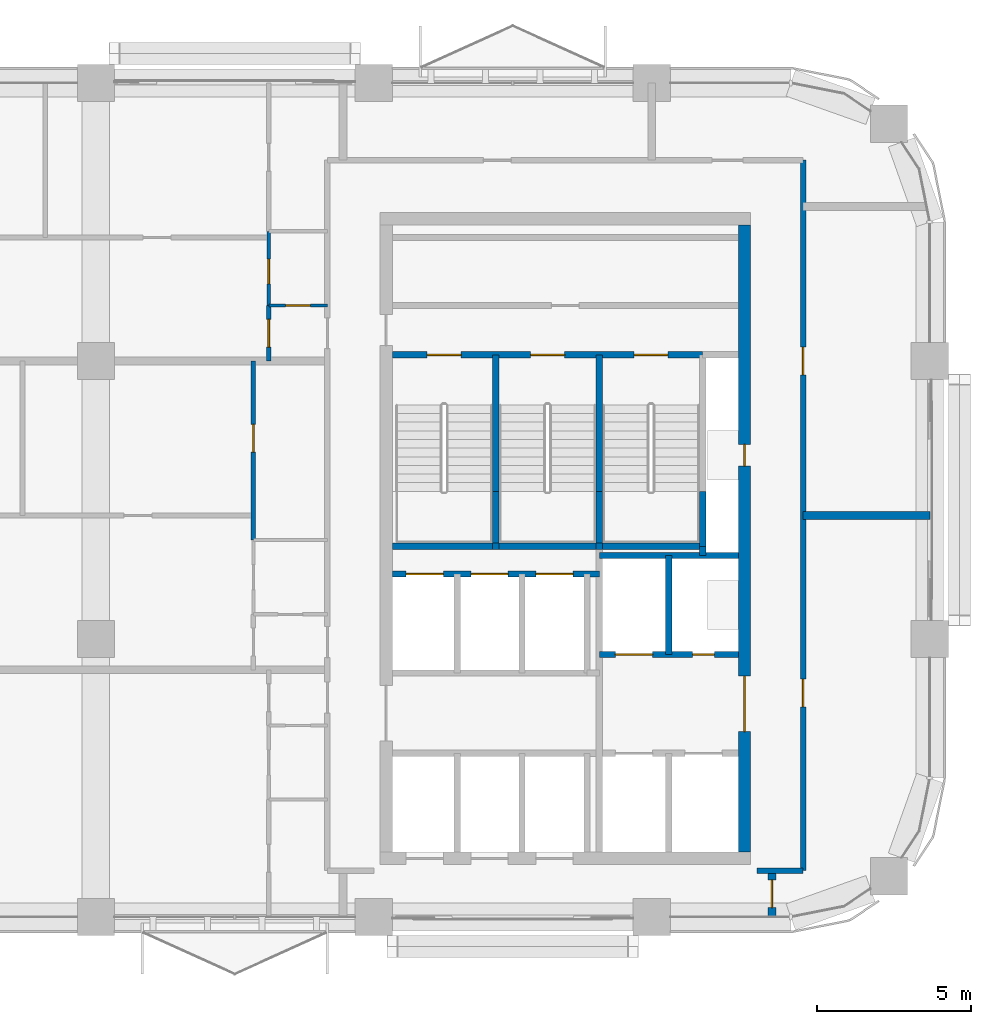
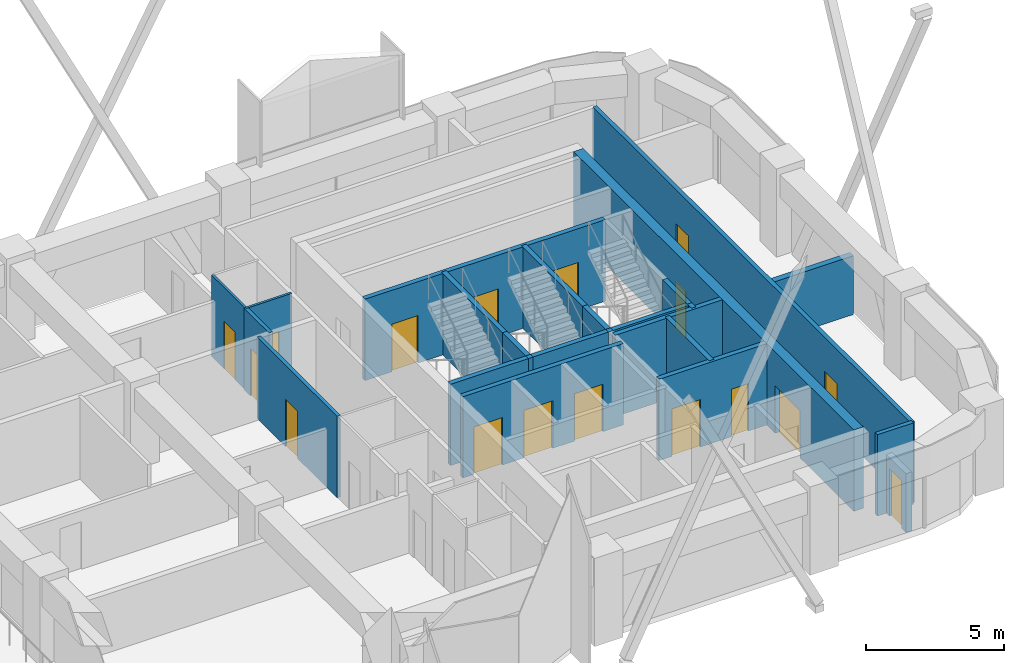
# One storey, part 10 of 13: 25 walls, 17 doors, 17 openings.
"""IFC4 building model written with IfcOpenShell, lengths in metres."""

from ifc_helpers import new_model, si_unit, direction, frame, frame_2d, origin, place, context, subcontext, project, spatial, rectangle, extrude, material, layer, layer_set, type_object, element, fill, save


model = new_model("IFC4")

# Units and contexts
model_context = context("Model", 3, precision=1e-05, world=origin(), true_north=direction((0.0, 1.0)))
body_context = subcontext(model_context, "Body", "Model", "MODEL_VIEW")
ifc_project = project(units=[si_unit("LENGTHUNIT", "METRE"), si_unit("AREAUNIT", "SQUARE_METRE"), si_unit("VOLUMEUNIT", "CUBIC_METRE"), si_unit("PLANEANGLEUNIT", "RADIAN"), si_unit("MASSUNIT", "GRAM", prefix="KILO")], contexts=[model_context])

# Site, building, storey
site_placement = place(None, origin())
site = spatial("IfcSite", under=ifc_project, at=site_placement, CompositionType="ELEMENT")
building_placement = place(site_placement, origin())
building = spatial("IfcBuilding", under=site, at=building_placement, Name="Tessera Arch", CompositionType="ELEMENT")
storey_placement = place(building_placement, frame((0.0, 0.0, 234.5)))
storey = spatial("IfcBuildingStorey", under=building, at=storey_placement, Name="L56", CompositionType="ELEMENT", Elevation=234.5)

# Wall, openings, doors
ifc_material_1 = material(Name="Concrete C50/60", Category="concrete")
ifc_layer_1 = layer(ifc_material_1, 0.39990234375)
ifc_layer_set_1 = layer_set([ifc_layer_1], Name="Core shell wall 400 C50-60")
wall_type_1 = type_object("IfcWallType", Name="Core shell wall 400 C50-60", PredefinedType="SHEAR", material=ifc_layer_set_1)
wall_1_placement = place(storey_placement, frame((48.0, 29.10009765625, 0.0), z_axis=(0.0, 0.0, 1.0), x_axis=(0.0, 1.0, 0.0)))
wall_1 = element("IfcWall", 1, at=wall_1_placement, inside=storey, type_object=wall_type_1, Name="L56 C1 core wall E", PredefinedType="SHEAR", context=body_context, shape_type="SweptSolid", body=[
    extrude(rectangle(XDim=20.2998046875, YDim=0.39990234375, at=frame_2d((10.14990234375, 0.0))), origin(), (0.0, 0.0, 1.0), 3.60009765625),
])
opening_1_placement = place(wall_1_placement, frame((12.5, 0.0, 0.0)))
opening_1 = element("IfcOpeningElement", 2, at=opening_1_placement, cuts=wall_1, Name="Opening L56-C14", PredefinedType="OPENING", context=body_context, shape_type="SweptSolid", body=[
    extrude(rectangle(XDim=0.699951171875, YDim=2.10009765625, at=frame_2d((0.35009765625, 1.050048828125))), frame((0.0, 0.2099609375, 0.0), z_axis=(0.0, -1.0, 0.0), x_axis=(1.0, 0.0, 0.0)), (0.0, 0.0, 1.0), 0.419921875),
])
opening_2_placement = place(wall_1_placement, frame((3.89990234375, 0.0, 0.0)))
opening_2 = element("IfcOpeningElement", 3, at=opening_2_placement, cuts=wall_1, Name="Opening L56-C15", PredefinedType="OPENING", context=body_context, shape_type="SweptSolid", body=[
    extrude(rectangle(XDim=1.800048828125, YDim=2.10009765625, at=frame_2d((0.89990234375, 1.050048828125))), frame((0.0, 0.2099609375, 0.0), z_axis=(0.0, -1.0, 0.0), x_axis=(1.0, 0.0, 0.0)), (0.0, 0.0, 1.0), 0.419921875),
])
ifc_material_2 = material(Name="Glazed steel door leaf", Category="steel")
door_type_1 = type_object("IfcDoorType", Name="Lobby double door FD60 1800 x 2100", OperationType="DOUBLE_DOOR_SINGLE_SWING", PredefinedType="DOOR", material=ifc_material_2)
door_1_placement = place(opening_2_placement, origin())
door_1 = element("IfcDoor", 4, at=door_1_placement, inside=storey, type_object=door_type_1, Name="L56 C1 door 15 C15 type D19", OperationType="DOUBLE_DOOR_SINGLE_SWING", OverallHeight=2.10009765625, OverallWidth=1.800048828125, PredefinedType="DOOR", context=body_context, shape_type="SweptSolid", body=[
    extrude(rectangle(XDim=1.800048828125, YDim=2.10009765625, at=frame_2d((0.89990234375, 1.050048828125))), frame((0.0, 0.02490234375, 0.0), z_axis=(0.0, -1.0, 0.0), x_axis=(1.0, 0.0, 0.0)), (0.0, 0.0, 1.0), 0.050048828125),
])
fill(opening_2, door_1)
ifc_material_3 = material(Name="Steel door leaf", Category="steel")
door_type_2 = type_object("IfcDoorType", Name="Service shaft door FD60 700 x 2100", OperationType="SINGLE_SWING_LEFT", PredefinedType="DOOR", material=ifc_material_3)
door_2_placement = place(opening_1_placement, origin())
door_2 = element("IfcDoor", 5, at=door_2_placement, inside=storey, type_object=door_type_2, Name="L56 C1 door 14 C14 type D07", OperationType="SINGLE_SWING_RIGHT", OverallHeight=2.10009765625, OverallWidth=0.699951171875, PredefinedType="DOOR", context=body_context, shape_type="SweptSolid", body=[
    extrude(rectangle(XDim=0.699951171875, YDim=2.10009765625, at=frame_2d((0.35009765625, 1.050048828125))), frame((0.0, 0.02490234375, 0.0), z_axis=(0.0, -1.0, 0.0), x_axis=(1.0, 0.0, 0.0)), (0.0, 0.0, 1.0), 0.050048828125),
])
fill(opening_1, door_2)

# Wall
ifc_material_4 = material(Name="Gypsum board on deep steel stud with mineral wool", Category="steel")
ifc_layer_2 = layer(ifc_material_4, 0.175048828125)
ifc_layer_set_2 = layer_set([ifc_layer_2], Name="Corridor wall 175 EI 60")
wall_type_2 = type_object("IfcWallType", Name="Corridor wall 175 EI 60", PredefinedType="PARTITIONING", material=ifc_layer_set_2)
wall_2_placement = place(storey_placement, frame((48.39990234375, 28.5, 0.0), z_axis=(0.0, 0.0, 1.0), x_axis=(1.0, 0.0, 0.0)))
element("IfcWall", 6, at=wall_2_placement, inside=storey, type_object=wall_type_2, Name="L56 partition 2", PredefinedType="PARTITIONING", context=body_context, shape_type="SweptSolid", body=[
    extrude(rectangle(XDim=1.5, YDim=0.175048828125, at=frame_2d((0.75, 0.0))), origin(), (0.0, 0.0, 1.0), 3.60009765625),
])

# Wall, openings, doors
wall_3_placement = place(storey_placement, frame((49.89990234375, 28.5, 0.0), z_axis=(0.0, 0.0, 1.0), x_axis=(0.0, 1.0, 0.0)))
wall_3 = element("IfcWall", 7, at=wall_3_placement, inside=storey, type_object=wall_type_2, Name="L56 partition 5", PredefinedType="PARTITIONING", context=body_context, shape_type="SweptSolid", body=[
    extrude(rectangle(XDim=23.0, YDim=0.175048828125, at=frame_2d((11.5, 0.0))), origin(), (0.0, 0.0, 1.0), 3.60009765625),
])
opening_3_placement = place(wall_3_placement, frame((5.300048828125, 0.0, 0.0)))
opening_3 = element("IfcOpeningElement", 8, at=opening_3_placement, cuts=wall_3, Name="Opening L56-D006", PredefinedType="OPENING", context=body_context, shape_type="SweptSolid", body=[
    extrude(rectangle(XDim=0.89990234375, YDim=2.10009765625, at=frame_2d((0.449951171875, 1.050048828125))), frame((0.0, 0.097412109375, 0.0), z_axis=(0.0, -1.0, 0.0), x_axis=(1.0, 0.0, 0.0)), (0.0, 0.0, 1.0), 0.195068359375),
])
opening_4_placement = place(wall_3_placement, frame((16.050048828125, 0.0, 0.0)))
opening_4 = element("IfcOpeningElement", 9, at=opening_4_placement, cuts=wall_3, Name="Opening L56-D014", PredefinedType="OPENING", context=body_context, shape_type="SweptSolid", body=[
    extrude(rectangle(XDim=0.89990234375, YDim=2.10009765625, at=frame_2d((0.449951171875, 1.050048828125))), frame((0.0, 0.097412109375, 0.0), z_axis=(0.0, -1.0, 0.0), x_axis=(1.0, 0.0, 0.0)), (0.0, 0.0, 1.0), 0.195068359375),
])
ifc_material_5 = material(Name="Timber door leaf", Category="wood")
door_type_3 = type_object("IfcDoorType", Name="Room door 900 x 2100", OperationType="SINGLE_SWING_LEFT", PredefinedType="DOOR", material=ifc_material_5)
door_3_placement = place(opening_3_placement, origin())
door_3 = element("IfcDoor", 10, at=door_3_placement, inside=storey, type_object=door_type_3, Name="L56 door D006 type D01", OperationType="SINGLE_SWING_RIGHT", OverallHeight=2.10009765625, OverallWidth=0.89990234375, PredefinedType="DOOR", context=body_context, shape_type="SweptSolid", body=[
    extrude(rectangle(XDim=0.89990234375, YDim=2.10009765625, at=frame_2d((0.449951171875, 1.050048828125))), frame((0.0, 0.02490234375, 0.0), z_axis=(0.0, -1.0, 0.0), x_axis=(1.0, 0.0, 0.0)), (0.0, 0.0, 1.0), 0.050048828125),
])
fill(opening_3, door_3)
door_4_placement = place(opening_4_placement, origin())
door_4 = element("IfcDoor", 11, at=door_4_placement, inside=storey, type_object=door_type_3, Name="L56 door D014 type D01", OperationType="SINGLE_SWING_RIGHT", OverallHeight=2.10009765625, OverallWidth=0.89990234375, PredefinedType="DOOR", context=body_context, shape_type="SweptSolid", body=[
    extrude(rectangle(XDim=0.89990234375, YDim=2.10009765625, at=frame_2d((0.449951171875, 1.050048828125))), frame((0.0, 0.02490234375, 0.0), z_axis=(0.0, -1.0, 0.0), x_axis=(1.0, 0.0, 0.0)), (0.0, 0.0, 1.0), 0.050048828125),
])
fill(opening_4, door_4)

# Wall, opening, door
ifc_material_6 = material(Name="Gypsum board on steel stud", Category="steel")
ifc_layer_3 = layer(ifc_material_6, 0.14990234375)
ifc_layer_set_3 = layer_set([ifc_layer_3], Name="Partition 150")
wall_type_3 = type_object("IfcWallType", Name="Partition 150", PredefinedType="PARTITIONING", material=ifc_layer_set_3)
wall_4_placement = place(storey_placement, frame((32.10009765625, 39.199951171875, 0.0), z_axis=(0.0, 0.0, 1.0), x_axis=(0.0, 1.0, 0.0)))
wall_4 = element("IfcWall", 12, at=wall_4_placement, inside=storey, type_object=wall_type_3, Name="L56 partition 11", PredefinedType="PARTITIONING", context=body_context, shape_type="SweptSolid", body=[
    extrude(rectangle(XDim=5.800048828125, YDim=0.14990234375, at=frame_2d((2.89990234375, 0.0))), origin(), (0.0, 0.0, 1.0), 3.60009765625),
])
opening_5_placement = place(wall_4_placement, frame((2.85009765625, 0.0, 0.0)))
opening_5 = element("IfcOpeningElement", 13, at=opening_5_placement, cuts=wall_4, Name="Opening L56-D011", PredefinedType="OPENING", context=body_context, shape_type="SweptSolid", body=[
    extrude(rectangle(XDim=0.89990234375, YDim=2.10009765625, at=frame_2d((0.449951171875, 1.050048828125))), frame((0.0, 0.0849609375, 0.0), z_axis=(0.0, -1.0, 0.0), x_axis=(1.0, 0.0, 0.0)), (0.0, 0.0, 1.0), 0.169921875),
])
door_5_placement = place(opening_5_placement, origin())
door_5 = element("IfcDoor", 14, at=door_5_placement, inside=storey, type_object=door_type_3, Name="L56 door D011 type D01", OperationType="SINGLE_SWING_LEFT", OverallHeight=2.10009765625, OverallWidth=0.89990234375, PredefinedType="DOOR", context=body_context, shape_type="SweptSolid", body=[
    extrude(rectangle(XDim=0.89990234375, YDim=2.10009765625, at=frame_2d((0.449951171875, 1.050048828125))), frame((0.0, 0.02490234375, 0.0), z_axis=(0.0, -1.0, 0.0), x_axis=(1.0, 0.0, 0.0)), (0.0, 0.0, 1.0), 0.050048828125),
])
fill(opening_5, door_5)

wall_5_placement = place(storey_placement, frame((32.60009765625, 45.0, 0.0), z_axis=(0.0, 0.0, 1.0), x_axis=(0.0, 1.0, 0.0)))
wall_5 = element("IfcWall", 15, at=wall_5_placement, inside=storey, type_object=wall_type_3, Name="L56 partition 14", PredefinedType="PARTITIONING", context=body_context, shape_type="SweptSolid", body=[
    extrude(rectangle(XDim=1.800048828125, YDim=0.14990234375, at=frame_2d((0.89990234375, 0.0))), origin(), (0.0, 0.0, 1.0), 3.60009765625),
])
opening_6_placement = place(wall_5_placement, frame((0.449951171875, 0.0, 0.0)))
opening_6 = element("IfcOpeningElement", 16, at=opening_6_placement, cuts=wall_5, Name="Opening L56-D016", PredefinedType="OPENING", context=body_context, shape_type="SweptSolid", body=[
    extrude(rectangle(XDim=0.89990234375, YDim=2.10009765625, at=frame_2d((0.449951171875, 1.050048828125))), frame((0.0, 0.0849609375, 0.0), z_axis=(0.0, -1.0, 0.0), x_axis=(1.0, 0.0, 0.0)), (0.0, 0.0, 1.0), 0.169921875),
])
door_6_placement = place(opening_6_placement, origin())
door_6 = element("IfcDoor", 17, at=door_6_placement, inside=storey, type_object=door_type_3, Name="L56 door D016 type D01", OperationType="SINGLE_SWING_LEFT", OverallHeight=2.10009765625, OverallWidth=0.89990234375, PredefinedType="DOOR", context=body_context, shape_type="SweptSolid", body=[
    extrude(rectangle(XDim=0.89990234375, YDim=2.10009765625, at=frame_2d((0.449951171875, 1.050048828125))), frame((0.0, 0.02490234375, 0.0), z_axis=(0.0, -1.0, 0.0), x_axis=(1.0, 0.0, 0.0)), (0.0, 0.0, 1.0), 0.050048828125),
])
fill(opening_6, door_6)

# Wall
ifc_material_7 = material(Name="Double gypsum board on twin steel stud with acoustic mineral wool", Category="steel")
ifc_layer_4 = layer(ifc_material_7, 0.25)
ifc_layer_set_4 = layer_set([ifc_layer_4], Name="Party wall 250 EI 60")
wall_type_4 = type_object("IfcWallType", Name="Party wall 250 EI 60", PredefinedType="PARTITIONING", material=ifc_layer_set_4)
wall_6_placement = place(storey_placement, frame((49.89990234375, 40.0, 0.0), z_axis=(0.0, 0.0, 1.0), x_axis=(1.0, 0.0, 0.0)))
element("IfcWall", 18, at=wall_6_placement, inside=storey, type_object=wall_type_4, Name="L56 partition 17", PredefinedType="PARTITIONING", context=body_context, shape_type="SweptSolid", body=[
    extrude(rectangle(XDim=4.10009765625, YDim=0.25, at=frame_2d((2.050048828125, 0.0))), origin(), (0.0, 0.0, 1.0), 2.60009765625),
])

# Wall, opening, door
wall_7_placement = place(storey_placement, frame((48.888916015625, 27.0, 0.0), z_axis=(0.0, 0.0, 1.0), x_axis=(0.0, 1.0, 0.0)))
wall_7 = element("IfcWall", 19, at=wall_7_placement, inside=storey, type_object=wall_type_4, Name="L56 partition 23", PredefinedType="PARTITIONING", context=body_context, shape_type="SweptSolid", body=[
    extrude(rectangle(XDim=1.5, YDim=0.25, at=frame_2d((0.75, 0.0))), origin(), (0.0, 0.0, 1.0), 2.60009765625),
])
opening_7_placement = place(wall_7_placement, frame((0.300048828125, 0.0, 0.0)))
opening_7 = element("IfcOpeningElement", 20, at=opening_7_placement, cuts=wall_7, Name="Opening L56-D024", PredefinedType="OPENING", context=body_context, shape_type="SweptSolid", body=[
    extrude(rectangle(XDim=0.89990234375, YDim=2.10009765625, at=frame_2d((0.449951171875, 1.050048828125))), frame((0.0, 0.135009765625, 0.0), z_axis=(0.0, -1.0, 0.0), x_axis=(1.0, 0.0, 0.0)), (0.0, 0.0, 1.0), 0.27001953125),
])
door_7_placement = place(opening_7_placement, origin())
door_7 = element("IfcDoor", 21, at=door_7_placement, inside=storey, type_object=door_type_3, Name="L56 door D024 type D01", OperationType="SINGLE_SWING_RIGHT", OverallHeight=2.10009765625, OverallWidth=0.89990234375, PredefinedType="DOOR", context=body_context, shape_type="SweptSolid", body=[
    extrude(rectangle(XDim=0.89990234375, YDim=2.10009765625, at=frame_2d((0.449951171875, 1.050048828125))), frame((0.0, 0.02490234375, 0.0), z_axis=(0.0, -1.0, 0.0), x_axis=(1.0, 0.0, 0.0)), (0.0, 0.0, 1.0), 0.050048828125),
])
fill(opening_7, door_7)

# Walls
ifc_material_8 = material(Name="Concrete C40/50", Category="concrete")
ifc_layer_5 = layer(ifc_material_8, 0.199951171875)
ifc_layer_set_5 = layer_set([ifc_layer_5], Name="Shaft wall 200 EI 120")
wall_type_5 = type_object("IfcWallType", Name="Shaft wall 200 EI 120", PredefinedType="SOLIDWALL", material=ifc_layer_set_5)
wall_8_placement = place(storey_placement, frame((45.550048828125, 35.5, 0.0), z_axis=(0.0, 0.0, 1.0), x_axis=(0.0, 1.0, 0.0)))
element("IfcWall", 22, at=wall_8_placement, inside=storey, type_object=wall_type_5, Name="L56 C1 shaft wall 13", PredefinedType="SOLIDWALL", context=body_context, shape_type="SweptSolid", body=[
    extrude(rectangle(XDim=3.199951171875, YDim=0.199951171875, at=frame_2d((1.60009765625, 0.0))), origin(), (0.0, 0.0, 1.0), 3.60009765625),
])
wall_9_placement = place(storey_placement, frame((46.64990234375, 38.699951171875, 0.0), z_axis=(0.0, 0.0, 1.0), x_axis=(0.0, 1.0, 0.0)))
element("IfcWall", 23, at=wall_9_placement, inside=storey, type_object=wall_type_5, Name="L56 C1 shaft wall 14", PredefinedType="SOLIDWALL", context=body_context, shape_type="SweptSolid", body=[
    extrude(rectangle(XDim=0.300048828125, YDim=0.199951171875, at=frame_2d((0.14990234375, 0.0))), origin(), (0.0, 0.0, 1.0), 3.60009765625),
])

# Wall, openings, doors
wall_10_placement = place(storey_placement, frame((43.300048828125, 35.5, 0.0), z_axis=(0.0, 0.0, 1.0), x_axis=(1.0, 0.0, 0.0)))
wall_10 = element("IfcWall", 24, at=wall_10_placement, inside=storey, type_object=wall_type_5, Name="L56 C1 shaft wall 20", PredefinedType="SOLIDWALL", context=body_context, shape_type="SweptSolid", body=[
    extrude(rectangle(XDim=4.5, YDim=0.199951171875, at=frame_2d((2.25, 0.0))), origin(), (0.0, 0.0, 1.0), 3.60009765625),
])
opening_8_placement = place(wall_10_placement, frame((0.52490234375, 0.0, 0.0)))
opening_8 = element("IfcOpeningElement", 25, at=opening_8_placement, cuts=wall_10, Name="Opening L56-C09", PredefinedType="OPENING", context=body_context, shape_type="SweptSolid", body=[
    extrude(rectangle(XDim=1.199951171875, YDim=2.10009765625, at=frame_2d((0.60009765625, 1.050048828125))), frame((0.0, 0.10986328125, 0.0), z_axis=(0.0, -1.0, 0.0), x_axis=(1.0, 0.0, 0.0)), (0.0, 0.0, 1.0), 0.219970703125),
])
opening_9_placement = place(wall_10_placement, frame((3.02490234375, 0.0, 0.0)))
opening_9 = element("IfcOpeningElement", 26, at=opening_9_placement, cuts=wall_10, Name="Opening L56-C16", PredefinedType="OPENING", context=body_context, shape_type="SweptSolid", body=[
    extrude(rectangle(XDim=0.699951171875, YDim=2.10009765625, at=frame_2d((0.35009765625, 1.050048828125))), frame((0.0, 0.10986328125, 0.0), z_axis=(0.0, -1.0, 0.0), x_axis=(1.0, 0.0, 0.0)), (0.0, 0.0, 1.0), 0.219970703125),
])
door_8_placement = place(opening_9_placement, origin())
door_8 = element("IfcDoor", 27, at=door_8_placement, inside=storey, type_object=door_type_2, Name="L56 C1 door 16 C16 type D07", OperationType="SINGLE_SWING_RIGHT", OverallHeight=2.10009765625, OverallWidth=0.699951171875, PredefinedType="DOOR", context=body_context, shape_type="SweptSolid", body=[
    extrude(rectangle(XDim=0.699951171875, YDim=2.10009765625, at=frame_2d((0.35009765625, 1.050048828125))), frame((0.0, 0.02490234375, 0.0), z_axis=(0.0, -1.0, 0.0), x_axis=(1.0, 0.0, 0.0)), (0.0, 0.0, 1.0), 0.050048828125),
])
fill(opening_9, door_8)
ifc_material_9 = material(Name="Stainless steel AISI 304", Category="steel")
door_type_4 = type_object("IfcDoorType", Name="Sliding landing door 1200 x 2100", OperationType="SLIDING_TO_LEFT", PredefinedType="DOOR", material=ifc_material_9)
door_9_placement = place(opening_8_placement, origin())
door_9 = element("IfcDoor", 28, at=door_9_placement, inside=storey, type_object=door_type_4, Name="L56 SV2 lift landing door C09 type LD", OperationType="SLIDING_TO_LEFT", OverallHeight=2.10009765625, OverallWidth=1.199951171875, PredefinedType="DOOR", context=body_context, shape_type="SweptSolid", body=[
    extrude(rectangle(XDim=1.199951171875, YDim=2.10009765625, at=frame_2d((0.60009765625, 1.050048828125))), frame((0.0, 0.02490234375, 0.0), z_axis=(0.0, -1.0, 0.0), x_axis=(1.0, 0.0, 0.0)), (0.0, 0.0, 1.0), 0.050048828125),
])
fill(opening_8, door_9)

wall_11_placement = place(storey_placement, frame((36.60009765625, 38.10009765625, 0.0), z_axis=(0.0, 0.0, 1.0), x_axis=(1.0, 0.0, 0.0)))
wall_11 = element("IfcWall", 29, at=wall_11_placement, inside=storey, type_object=wall_type_5, Name="L56 C1 shaft wall 21", PredefinedType="SOLIDWALL", context=body_context, shape_type="SweptSolid", body=[
    extrude(rectangle(XDim=6.699951171875, YDim=0.199951171875, at=frame_2d((3.35009765625, 0.0))), origin(), (0.0, 0.0, 1.0), 3.60009765625),
])
opening_10_placement = place(wall_11_placement, frame((0.449951171875, 0.0, 0.0)))
opening_10 = element("IfcOpeningElement", 30, at=opening_10_placement, cuts=wall_11, Name="Opening L56-C02", PredefinedType="OPENING", context=body_context, shape_type="SweptSolid", body=[
    extrude(rectangle(XDim=1.199951171875, YDim=2.10009765625, at=frame_2d((0.60009765625, 1.050048828125))), frame((0.0, 0.10986328125, 0.0), z_axis=(0.0, -1.0, 0.0), x_axis=(1.0, 0.0, 0.0)), (0.0, 0.0, 1.0), 0.219970703125),
])
opening_11_placement = place(wall_11_placement, frame((2.550048828125, 0.0, 0.0)))
opening_11 = element("IfcOpeningElement", 31, at=opening_11_placement, cuts=wall_11, Name="Opening L56-C04", PredefinedType="OPENING", context=body_context, shape_type="SweptSolid", body=[
    extrude(rectangle(XDim=1.199951171875, YDim=2.10009765625, at=frame_2d((0.60009765625, 1.050048828125))), frame((0.0, 0.10986328125, 0.0), z_axis=(0.0, -1.0, 0.0), x_axis=(1.0, 0.0, 0.0)), (0.0, 0.0, 1.0), 0.219970703125),
])
opening_12_placement = place(wall_11_placement, frame((4.64990234375, 0.0, 0.0)))
opening_12 = element("IfcOpeningElement", 32, at=opening_12_placement, cuts=wall_11, Name="Opening L56-C06", PredefinedType="OPENING", context=body_context, shape_type="SweptSolid", body=[
    extrude(rectangle(XDim=1.199951171875, YDim=2.10009765625, at=frame_2d((0.60009765625, 1.050048828125))), frame((0.0, 0.10986328125, 0.0), z_axis=(0.0, -1.0, 0.0), x_axis=(1.0, 0.0, 0.0)), (0.0, 0.0, 1.0), 0.219970703125),
])
door_10_placement = place(opening_10_placement, origin())
door_10 = element("IfcDoor", 33, at=door_10_placement, inside=storey, type_object=door_type_4, Name="L56 HR4 lift landing door C02 type LD", OperationType="SLIDING_TO_LEFT", OverallHeight=2.10009765625, OverallWidth=1.199951171875, PredefinedType="DOOR", context=body_context, shape_type="SweptSolid", body=[
    extrude(rectangle(XDim=1.199951171875, YDim=2.10009765625, at=frame_2d((0.60009765625, 1.050048828125))), frame((0.0, 0.02490234375, 0.0), z_axis=(0.0, -1.0, 0.0), x_axis=(1.0, 0.0, 0.0)), (0.0, 0.0, 1.0), 0.050048828125),
])
fill(opening_10, door_10)
door_11_placement = place(opening_11_placement, origin())
door_11 = element("IfcDoor", 34, at=door_11_placement, inside=storey, type_object=door_type_4, Name="L56 HR5 lift landing door C04 type LD", OperationType="SLIDING_TO_LEFT", OverallHeight=2.10009765625, OverallWidth=1.199951171875, PredefinedType="DOOR", context=body_context, shape_type="SweptSolid", body=[
    extrude(rectangle(XDim=1.199951171875, YDim=2.10009765625, at=frame_2d((0.60009765625, 1.050048828125))), frame((0.0, 0.02490234375, 0.0), z_axis=(0.0, -1.0, 0.0), x_axis=(1.0, 0.0, 0.0)), (0.0, 0.0, 1.0), 0.050048828125),
])
fill(opening_11, door_11)
door_12_placement = place(opening_12_placement, origin())
door_12 = element("IfcDoor", 35, at=door_12_placement, inside=storey, type_object=door_type_4, Name="L56 HR6 lift landing door C06 type LD", OperationType="SLIDING_TO_LEFT", OverallHeight=2.10009765625, OverallWidth=1.199951171875, PredefinedType="DOOR", context=body_context, shape_type="SweptSolid", body=[
    extrude(rectangle(XDim=1.199951171875, YDim=2.10009765625, at=frame_2d((0.60009765625, 1.050048828125))), frame((0.0, 0.02490234375, 0.0), z_axis=(0.0, -1.0, 0.0), x_axis=(1.0, 0.0, 0.0)), (0.0, 0.0, 1.0), 0.050048828125),
])
fill(opening_12, door_12)

# Walls
wall_12_placement = place(storey_placement, frame((43.300048828125, 38.699951171875, 0.0), z_axis=(0.0, 0.0, 1.0), x_axis=(1.0, 0.0, 0.0)))
element("IfcWall", 36, at=wall_12_placement, inside=storey, type_object=wall_type_5, Name="L56 C1 shaft wall 22", PredefinedType="SOLIDWALL", context=body_context, shape_type="SweptSolid", body=[
    extrude(rectangle(XDim=4.5, YDim=0.199951171875, at=frame_2d((2.25, 0.0))), origin(), (0.0, 0.0, 1.0), 3.60009765625),
])
ifc_material_10 = material(Name="Concrete C40/50", Category="concrete")
ifc_layer_6 = layer(ifc_material_10, 0.199951171875)
ifc_layer_set_6 = layer_set([ifc_layer_6], Name="Stair well wall 200 REI 180")
wall_type_6 = type_object("IfcWallType", Name="Stair well wall 200 REI 180", PredefinedType="SOLIDWALL", material=ifc_layer_set_6)
wall_13_placement = place(storey_placement, frame((39.949951171875, 39.0, 0.0), z_axis=(0.0, 0.0, 1.0), x_axis=(0.0, 1.0, 0.0)))
element("IfcWall", 37, at=wall_13_placement, inside=storey, type_object=wall_type_6, Name="L56 C1 shaft wall 3", PredefinedType="SOLIDWALL", context=body_context, shape_type="SweptSolid", body=[
    extrude(rectangle(XDim=1.780029296875, YDim=0.199951171875, at=frame_2d((0.89013671875, 0.0))), origin(), (0.0, 0.0, 1.0), 3.60009765625),
])
wall_14_placement = place(storey_placement, frame((39.949951171875, 40.780029296875, 0.0), z_axis=(0.0, 0.0, 1.0), x_axis=(0.0, 1.0, 0.0)))
element("IfcWall", 38, at=wall_14_placement, inside=storey, type_object=wall_type_6, Name="L56 C1 shaft wall 4", PredefinedType="SOLIDWALL", context=body_context, shape_type="SweptSolid", body=[
    extrude(rectangle(XDim=4.419921875, YDim=0.199951171875, at=frame_2d((2.2099609375, 0.0))), origin(), (0.0, 0.0, 1.0), 3.60009765625),
])
wall_15_placement = place(storey_placement, frame((43.300048828125, 39.0, 0.0), z_axis=(0.0, 0.0, 1.0), x_axis=(0.0, 1.0, 0.0)))
element("IfcWall", 39, at=wall_15_placement, inside=storey, type_object=wall_type_6, Name="L56 C1 shaft wall 10", PredefinedType="SOLIDWALL", context=body_context, shape_type="SweptSolid", body=[
    extrude(rectangle(XDim=1.780029296875, YDim=0.199951171875, at=frame_2d((0.89013671875, 0.0))), origin(), (0.0, 0.0, 1.0), 3.60009765625),
])
wall_16_placement = place(storey_placement, frame((43.300048828125, 40.780029296875, 0.0), z_axis=(0.0, 0.0, 1.0), x_axis=(0.0, 1.0, 0.0)))
element("IfcWall", 40, at=wall_16_placement, inside=storey, type_object=wall_type_6, Name="L56 C1 shaft wall 11", PredefinedType="SOLIDWALL", context=body_context, shape_type="SweptSolid", body=[
    extrude(rectangle(XDim=4.419921875, YDim=0.199951171875, at=frame_2d((2.2099609375, 0.0))), origin(), (0.0, 0.0, 1.0), 3.60009765625),
])
wall_17_placement = place(storey_placement, frame((46.64990234375, 39.0, 0.0), z_axis=(0.0, 0.0, 1.0), x_axis=(0.0, 1.0, 0.0)))
element("IfcWall", 41, at=wall_17_placement, inside=storey, type_object=wall_type_6, Name="L56 C1 shaft wall 15", PredefinedType="SOLIDWALL", context=body_context, shape_type="SweptSolid", body=[
    extrude(rectangle(XDim=1.780029296875, YDim=0.199951171875, at=frame_2d((0.89013671875, 0.0))), origin(), (0.0, 0.0, 1.0), 3.60009765625),
])
wall_18_placement = place(storey_placement, frame((36.60009765625, 39.0, 0.0), z_axis=(0.0, 0.0, 1.0), x_axis=(1.0, 0.0, 0.0)))
element("IfcWall", 42, at=wall_18_placement, inside=storey, type_object=wall_type_6, Name="L56 C1 shaft wall 23", PredefinedType="SOLIDWALL", context=body_context, shape_type="SweptSolid", body=[
    extrude(rectangle(XDim=3.25, YDim=0.199951171875, at=frame_2d((1.625, 0.0))), origin(), (0.0, 0.0, 1.0), 3.60009765625),
])
wall_19_placement = place(storey_placement, frame((39.85009765625, 39.0, 0.0), z_axis=(0.0, 0.0, 1.0), x_axis=(1.0, 0.0, 0.0)))
element("IfcWall", 43, at=wall_19_placement, inside=storey, type_object=wall_type_6, Name="L56 C1 shaft wall 24", PredefinedType="SOLIDWALL", context=body_context, shape_type="SweptSolid", body=[
    extrude(rectangle(XDim=0.199951171875, YDim=0.199951171875, at=frame_2d((0.10009765625, 0.0))), origin(), (0.0, 0.0, 1.0), 3.60009765625),
])
wall_20_placement = place(storey_placement, frame((40.050048828125, 39.0, 0.0), z_axis=(0.0, 0.0, 1.0), x_axis=(1.0, 0.0, 0.0)))
element("IfcWall", 44, at=wall_20_placement, inside=storey, type_object=wall_type_6, Name="L56 C1 shaft wall 25", PredefinedType="SOLIDWALL", context=body_context, shape_type="SweptSolid", body=[
    extrude(rectangle(XDim=3.14990234375, YDim=0.199951171875, at=frame_2d((1.574951171875, 0.0))), origin(), (0.0, 0.0, 1.0), 3.60009765625),
])
wall_21_placement = place(storey_placement, frame((43.199951171875, 39.0, 0.0), z_axis=(0.0, 0.0, 1.0), x_axis=(1.0, 0.0, 0.0)))
element("IfcWall", 45, at=wall_21_placement, inside=storey, type_object=wall_type_6, Name="L56 C1 shaft wall 26", PredefinedType="SOLIDWALL", context=body_context, shape_type="SweptSolid", body=[
    extrude(rectangle(XDim=0.199951171875, YDim=0.199951171875, at=frame_2d((0.10009765625, 0.0))), origin(), (0.0, 0.0, 1.0), 3.60009765625),
])
wall_22_placement = place(storey_placement, frame((43.39990234375, 39.0, 0.0), z_axis=(0.0, 0.0, 1.0), x_axis=(1.0, 0.0, 0.0)))
element("IfcWall", 46, at=wall_22_placement, inside=storey, type_object=wall_type_6, Name="L56 C1 shaft wall 27", PredefinedType="SOLIDWALL", context=body_context, shape_type="SweptSolid", body=[
    extrude(rectangle(XDim=3.25, YDim=0.199951171875, at=frame_2d((1.625, 0.0))), origin(), (0.0, 0.0, 1.0), 3.60009765625),
])

# Wall, openings, doors
wall_23_placement = place(storey_placement, frame((36.60009765625, 45.199951171875, 0.0), z_axis=(0.0, 0.0, 1.0), x_axis=(1.0, 0.0, 0.0)))
wall_23 = element("IfcWall", 47, at=wall_23_placement, inside=storey, type_object=wall_type_6, Name="L56 C1 shaft wall 29", PredefinedType="SOLIDWALL", context=body_context, shape_type="SweptSolid", body=[
    extrude(rectangle(XDim=10.0498046875, YDim=0.199951171875, at=frame_2d((5.02490234375, 0.0))), origin(), (0.0, 0.0, 1.0), 3.60009765625),
])
opening_13_placement = place(wall_23_placement, frame((1.125, 0.0, 0.0)))
opening_13 = element("IfcOpeningElement", 48, at=opening_13_placement, cuts=wall_23, Name="Opening L56-C11", PredefinedType="OPENING", context=body_context, shape_type="SweptSolid", body=[
    extrude(rectangle(XDim=1.10009765625, YDim=2.10009765625, at=frame_2d((0.550048828125, 1.050048828125))), frame((0.0, 0.10986328125, 0.0), z_axis=(0.0, -1.0, 0.0), x_axis=(1.0, 0.0, 0.0)), (0.0, 0.0, 1.0), 0.219970703125),
])
opening_14_placement = place(wall_23_placement, frame((4.47509765625, 0.0, 0.0)))
opening_14 = element("IfcOpeningElement", 49, at=opening_14_placement, cuts=wall_23, Name="Opening L56-C12", PredefinedType="OPENING", context=body_context, shape_type="SweptSolid", body=[
    extrude(rectangle(XDim=1.10009765625, YDim=2.10009765625, at=frame_2d((0.550048828125, 1.050048828125))), frame((0.0, 0.10986328125, 0.0), z_axis=(0.0, -1.0, 0.0), x_axis=(1.0, 0.0, 0.0)), (0.0, 0.0, 1.0), 0.219970703125),
])
opening_15_placement = place(wall_23_placement, frame((7.824951171875, 0.0, 0.0)))
opening_15 = element("IfcOpeningElement", 50, at=opening_15_placement, cuts=wall_23, Name="Opening L56-C13", PredefinedType="OPENING", context=body_context, shape_type="SweptSolid", body=[
    extrude(rectangle(XDim=1.10009765625, YDim=2.10009765625, at=frame_2d((0.550048828125, 1.050048828125))), frame((0.0, 0.10986328125, 0.0), z_axis=(0.0, -1.0, 0.0), x_axis=(1.0, 0.0, 0.0)), (0.0, 0.0, 1.0), 0.219970703125),
])
ifc_material_11 = material(Name="Steel door leaf", Category="steel")
door_type_5 = type_object("IfcDoorType", Name="Stair door FD60 1100 x 2100", OperationType="SINGLE_SWING_LEFT", PredefinedType="DOOR", material=ifc_material_11)
door_13_placement = place(opening_13_placement, origin())
door_13 = element("IfcDoor", 51, at=door_13_placement, inside=storey, type_object=door_type_5, Name="L56 C1 door 11 C11 type D05", OperationType="SINGLE_SWING_LEFT", OverallHeight=2.10009765625, OverallWidth=1.10009765625, PredefinedType="DOOR", context=body_context, shape_type="SweptSolid", body=[
    extrude(rectangle(XDim=1.10009765625, YDim=2.10009765625, at=frame_2d((0.550048828125, 1.050048828125))), frame((0.0, 0.02490234375, 0.0), z_axis=(0.0, -1.0, 0.0), x_axis=(1.0, 0.0, 0.0)), (0.0, 0.0, 1.0), 0.050048828125),
])
fill(opening_13, door_13)
door_14_placement = place(opening_14_placement, origin())
door_14 = element("IfcDoor", 52, at=door_14_placement, inside=storey, type_object=door_type_5, Name="L56 C1 door 12 C12 type D05", OperationType="SINGLE_SWING_RIGHT", OverallHeight=2.10009765625, OverallWidth=1.10009765625, PredefinedType="DOOR", context=body_context, shape_type="SweptSolid", body=[
    extrude(rectangle(XDim=1.10009765625, YDim=2.10009765625, at=frame_2d((0.550048828125, 1.050048828125))), frame((0.0, 0.02490234375, 0.0), z_axis=(0.0, -1.0, 0.0), x_axis=(1.0, 0.0, 0.0)), (0.0, 0.0, 1.0), 0.050048828125),
])
fill(opening_14, door_14)
door_15_placement = place(opening_15_placement, origin())
door_15 = element("IfcDoor", 53, at=door_15_placement, inside=storey, type_object=door_type_5, Name="L56 C1 door 13 C13 type D05", OperationType="SINGLE_SWING_RIGHT", OverallHeight=2.10009765625, OverallWidth=1.10009765625, PredefinedType="DOOR", context=body_context, shape_type="SweptSolid", body=[
    extrude(rectangle(XDim=1.10009765625, YDim=2.10009765625, at=frame_2d((0.550048828125, 1.050048828125))), frame((0.0, 0.02490234375, 0.0), z_axis=(0.0, -1.0, 0.0), x_axis=(1.0, 0.0, 0.0)), (0.0, 0.0, 1.0), 0.050048828125),
])
fill(opening_15, door_15)

# Wall, opening, door
ifc_material_12 = material(Name="Moisture-resistant board on pre-plumbed steel stud", Category="steel")
ifc_layer_7 = layer(ifc_material_12, 0.10009765625)
ifc_layer_set_7 = layer_set([ifc_layer_7], Name="Wet wall 100")
wall_type_7 = type_object("IfcWallType", Name="Wet wall 100", PredefinedType="PARTITIONING", material=ifc_layer_set_7)
wall_24_placement = place(storey_placement, frame((32.60009765625, 46.800048828125, 0.0), z_axis=(0.0, 0.0, 1.0), x_axis=(1.0, 0.0, 0.0)))
wall_24 = element("IfcWall", 54, at=wall_24_placement, inside=storey, type_object=wall_type_7, Name="L56 partition 28", PredefinedType="PARTITIONING", context=body_context, shape_type="SweptSolid", body=[
    extrude(rectangle(XDim=1.89990234375, YDim=0.10009765625, at=frame_2d((0.949951171875, 0.0))), origin(), (0.0, 0.0, 1.0), 3.60009765625),
])
opening_16_placement = place(wall_24_placement, frame((0.550048828125, 0.0, 0.0)))
opening_16 = element("IfcOpeningElement", 55, at=opening_16_placement, cuts=wall_24, Name="Opening L56-D017", PredefinedType="OPENING", context=body_context, shape_type="SweptSolid", body=[
    extrude(rectangle(XDim=0.800048828125, YDim=2.10009765625, at=frame_2d((0.39990234375, 1.050048828125))), frame((0.0, 0.06005859375, 0.0), z_axis=(0.0, -1.0, 0.0), x_axis=(1.0, 0.0, 0.0)), (0.0, 0.0, 1.0), 0.1201171875),
])
ifc_material_13 = material(Name="Timber door leaf", Category="wood")
door_type_6 = type_object("IfcDoorType", Name="En-suite door 800 x 2100", OperationType="SINGLE_SWING_LEFT", PredefinedType="DOOR", material=ifc_material_13)
door_16_placement = place(opening_16_placement, origin())
door_16 = element("IfcDoor", 56, at=door_16_placement, inside=storey, type_object=door_type_6, Name="L56 door D017 type D02", OperationType="SINGLE_SWING_RIGHT", OverallHeight=2.10009765625, OverallWidth=0.800048828125, PredefinedType="DOOR", context=body_context, shape_type="SweptSolid", body=[
    extrude(rectangle(XDim=0.800048828125, YDim=2.10009765625, at=frame_2d((0.39990234375, 1.050048828125))), frame((0.0, 0.02490234375, 0.0), z_axis=(0.0, -1.0, 0.0), x_axis=(1.0, 0.0, 0.0)), (0.0, 0.0, 1.0), 0.050048828125),
])
fill(opening_16, door_16)

wall_25_placement = place(storey_placement, frame((32.60009765625, 46.800048828125, 0.0), z_axis=(0.0, 0.0, 1.0), x_axis=(0.0, 1.0, 0.0)))
wall_25 = element("IfcWall", 57, at=wall_25_placement, inside=storey, type_object=wall_type_7, Name="L56 partition 32", PredefinedType="PARTITIONING", context=body_context, shape_type="SweptSolid", body=[
    extrude(rectangle(XDim=2.39990234375, YDim=0.10009765625, at=frame_2d((1.199951171875, 0.0))), origin(), (0.0, 0.0, 1.0), 3.60009765625),
])
opening_17_placement = place(wall_25_placement, frame((0.699951171875, 0.0, 0.0)))
opening_17 = element("IfcOpeningElement", 58, at=opening_17_placement, cuts=wall_25, Name="Opening L56-D018", PredefinedType="OPENING", context=body_context, shape_type="SweptSolid", body=[
    extrude(rectangle(XDim=0.800048828125, YDim=2.10009765625, at=frame_2d((0.39990234375, 1.050048828125))), frame((0.0, 0.06005859375, 0.0), z_axis=(0.0, -1.0, 0.0), x_axis=(1.0, 0.0, 0.0)), (0.0, 0.0, 1.0), 0.1201171875),
])
door_17_placement = place(opening_17_placement, origin())
door_17 = element("IfcDoor", 59, at=door_17_placement, inside=storey, type_object=door_type_6, Name="L56 door D018 type D02", OperationType="SINGLE_SWING_RIGHT", OverallHeight=2.10009765625, OverallWidth=0.800048828125, PredefinedType="DOOR", context=body_context, shape_type="SweptSolid", body=[
    extrude(rectangle(XDim=0.800048828125, YDim=2.10009765625, at=frame_2d((0.39990234375, 1.050048828125))), frame((0.0, 0.02490234375, 0.0), z_axis=(0.0, -1.0, 0.0), x_axis=(1.0, 0.0, 0.0)), (0.0, 0.0, 1.0), 0.050048828125),
])
fill(opening_17, door_17)

save(model, "model.ifc")
